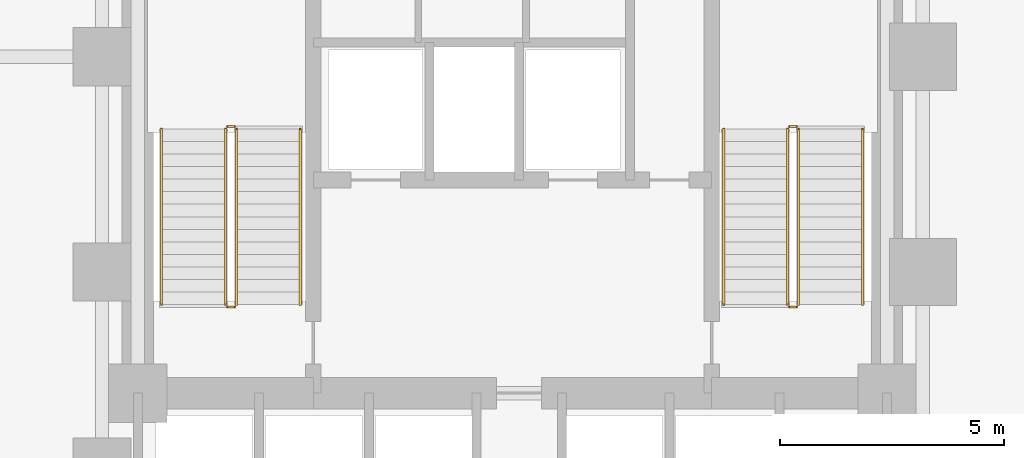
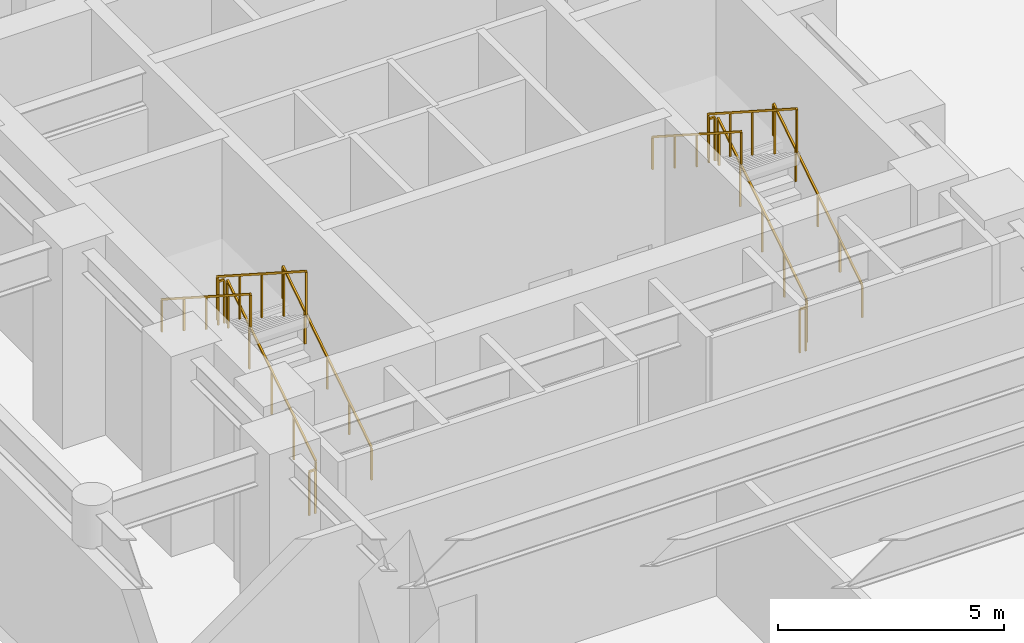
# One storey, part 9 of 10: 12 railings.
"""IFC4 building model written with IfcOpenShell, lengths in metres."""

from ifc_helpers import new_model, si_unit, direction, frame, origin, origin_2d, place, context, subcontext, project, spatial, rectangle, extrude, material, type_object, element, save


model = new_model("IFC4")

# Units and contexts
model_context = context("Model", 3, precision=1e-05, world=origin(), true_north=direction((0.0, 1.0)))
body_context = subcontext(model_context, "Body", "Model", "MODEL_VIEW")
ifc_project = project(units=[si_unit("LENGTHUNIT", "METRE"), si_unit("AREAUNIT", "SQUARE_METRE"), si_unit("VOLUMEUNIT", "CUBIC_METRE"), si_unit("PLANEANGLEUNIT", "RADIAN"), si_unit("MASSUNIT", "GRAM", prefix="KILO")], contexts=[model_context])

# Site, building, storey
site_placement = place(None, origin())
site = spatial("IfcSite", under=ifc_project, at=site_placement, CompositionType="ELEMENT")
building_placement = place(site_placement, origin())
building = spatial("IfcBuilding", under=site, at=building_placement, Name="Orvandelia Arch Residences", CompositionType="ELEMENT")
storey_placement = place(building_placement, frame((0.0, 0.0, 19.60009765625)))
storey = spatial("IfcBuildingStorey", under=building, at=storey_placement, Name="L04", CompositionType="ELEMENT", Elevation=19.60009765625)

# Railings
ifc_material = material(Name="Brushed Stainless Steel 304", Category="steel")
railing_type_1 = type_object("IfcRailingType", Name="RL-STAIR-GD1120", PredefinedType="GUARDRAIL", material=ifc_material)
railing_1_placement = place(storey_placement, frame((8.25, 32.8701171875, 0.179931640625)))
element("IfcRailing", 1, at=railing_1_placement, inside=storey, type_object=railing_type_1, Name="L04 ST-1 stair guard 1", PredefinedType="GUARDRAIL", context=body_context, shape_type="SweptSolid", body=[
    extrude(rectangle(XDim=0.048095703125, YDim=0.048095703125, at=origin_2d()), frame((0.0, 0.0, 1.17578125), z_axis=(0.0, 0.841171666519, 0.540768182723), x_axis=(-1.0, 0.0, 0.0)), (0.0, 0.0, 1.0), 4.66015625),
    extrude(rectangle(XDim=0.0419921875, YDim=0.0419921875, at=origin_2d()), origin(), (0.0, 0.0, 1.0), 1.15185546875),
    extrude(rectangle(XDim=0.0419921875, YDim=0.0419921875, at=origin_2d()), frame((0.0, 0.97998046875, 0.6298828125)), (0.0, 0.0, 1.0), 1.15185546875),
    extrude(rectangle(XDim=0.0419921875, YDim=0.0419921875, at=origin_2d()), frame((0.0, 1.9599609375, 1.260009765625)), (0.0, 0.0, 1.0), 1.15185546875),
    extrude(rectangle(XDim=0.0419921875, YDim=0.0419921875, at=origin_2d()), frame((0.0, 2.93994140625, 1.89013671875)), (0.0, 0.0, 1.0), 1.15185546875),
    extrude(rectangle(XDim=0.0419921875, YDim=0.0419921875, at=origin_2d()), frame((0.0, 3.919921875, 2.52001953125)), (0.0, 0.0, 1.0), 1.15185546875),
])
railing_2_placement = place(storey_placement, frame((8.199951171875, 36.840087890625, 2.699951171875)))
element("IfcRailing", 2, at=railing_2_placement, inside=storey, type_object=railing_type_1, Name="L04 ST-1 stair guard 2", PredefinedType="GUARDRAIL", context=body_context, shape_type="SweptSolid", body=[
    extrude(rectangle(XDim=0.048095703125, YDim=0.048095703125, at=origin_2d()), frame((0.0, 0.0, 1.17578125), z_axis=(-1.0, 0.0, 0.0), x_axis=(0.0, -1.0, 0.0)), (0.0, 0.0, 1.0), 0.14990234375),
    extrude(rectangle(XDim=0.0419921875, YDim=0.0419921875, at=origin_2d()), origin(), (0.0, 0.0, 1.0), 1.15185546875),
    extrude(rectangle(XDim=0.0419921875, YDim=0.0419921875, at=origin_2d()), frame((-0.14990234375, 0.0, 0.0)), (0.0, 0.0, 1.0), 1.15185546875),
])
railing_3_placement = place(storey_placement, frame((8.0, 36.7900390625, 2.8798828125)))
element("IfcRailing", 3, at=railing_3_placement, inside=storey, type_object=railing_type_1, Name="L04 ST-1 stair guard 3", PredefinedType="GUARDRAIL", context=body_context, shape_type="SweptSolid", body=[
    extrude(rectangle(XDim=0.048095703125, YDim=0.048095703125, at=origin_2d()), frame((0.0, 0.0, 1.17578125), z_axis=(0.0, -0.841171666519, 0.540768182723), x_axis=(1.0, 0.0, 0.0)), (0.0, 0.0, 1.0), 4.66015625),
    extrude(rectangle(XDim=0.0419921875, YDim=0.0419921875, at=origin_2d()), origin(), (0.0, 0.0, 1.0), 1.15185546875),
    extrude(rectangle(XDim=0.0419921875, YDim=0.0419921875, at=origin_2d()), frame((0.0, -0.97998046875, 0.6298828125)), (0.0, 0.0, 1.0), 1.15185546875),
    extrude(rectangle(XDim=0.0419921875, YDim=0.0419921875, at=origin_2d()), frame((0.0, -1.9599609375, 1.260009765625)), (0.0, 0.0, 1.0), 1.15185546875),
    extrude(rectangle(XDim=0.0419921875, YDim=0.0419921875, at=origin_2d()), frame((0.0, -2.93994140625, 1.89013671875)), (0.0, 0.0, 1.0), 1.15185546875),
    extrude(rectangle(XDim=0.0419921875, YDim=0.0419921875, at=origin_2d()), frame((0.0, -3.919921875, 2.52001953125)), (0.0, 0.0, 1.0), 1.15185546875),
])
railing_4_placement = place(storey_placement, frame((8.199951171875, 32.820068359375, 0.0)))
element("IfcRailing", 4, at=railing_4_placement, inside=storey, type_object=railing_type_1, Name="L04 ST-1 stair guard 4", PredefinedType="GUARDRAIL", context=body_context, shape_type="SweptSolid", body=[
    extrude(rectangle(XDim=0.048095703125, YDim=0.048095703125, at=origin_2d()), frame((0.0, 0.0, 1.17578125), z_axis=(-1.0, 0.0, 0.0), x_axis=(0.0, -1.0, 0.0)), (0.0, 0.0, 1.0), 0.14990234375),
    extrude(rectangle(XDim=0.0419921875, YDim=0.0419921875, at=origin_2d()), origin(), (0.0, 0.0, 1.0), 1.15185546875),
    extrude(rectangle(XDim=0.0419921875, YDim=0.0419921875, at=origin_2d()), frame((-0.14990234375, 0.0, 0.0)), (0.0, 0.0, 1.0), 1.15185546875),
])
railing_5_placement = place(storey_placement, frame((20.780029296875, 32.8701171875, 0.179931640625)))
element("IfcRailing", 5, at=railing_5_placement, inside=storey, type_object=railing_type_1, Name="L04 ST-2 stair guard 1", PredefinedType="GUARDRAIL", context=body_context, shape_type="SweptSolid", body=[
    extrude(rectangle(XDim=0.048095703125, YDim=0.048095703125, at=origin_2d()), frame((0.0, 0.0, 1.17578125), z_axis=(0.0, 0.841171666519, 0.540768182723), x_axis=(-1.0, 0.0, 0.0)), (0.0, 0.0, 1.0), 4.66015625),
    extrude(rectangle(XDim=0.0419921875, YDim=0.0419921875, at=origin_2d()), origin(), (0.0, 0.0, 1.0), 1.15185546875),
    extrude(rectangle(XDim=0.0419921875, YDim=0.0419921875, at=origin_2d()), frame((0.0, 0.97998046875, 0.6298828125)), (0.0, 0.0, 1.0), 1.15185546875),
    extrude(rectangle(XDim=0.0419921875, YDim=0.0419921875, at=origin_2d()), frame((0.0, 1.9599609375, 1.260009765625)), (0.0, 0.0, 1.0), 1.15185546875),
    extrude(rectangle(XDim=0.0419921875, YDim=0.0419921875, at=origin_2d()), frame((0.0, 2.93994140625, 1.89013671875)), (0.0, 0.0, 1.0), 1.15185546875),
    extrude(rectangle(XDim=0.0419921875, YDim=0.0419921875, at=origin_2d()), frame((0.0, 3.919921875, 2.52001953125)), (0.0, 0.0, 1.0), 1.15185546875),
])
railing_6_placement = place(storey_placement, frame((20.72998046875, 36.840087890625, 2.699951171875)))
element("IfcRailing", 6, at=railing_6_placement, inside=storey, type_object=railing_type_1, Name="L04 ST-2 stair guard 2", PredefinedType="GUARDRAIL", context=body_context, shape_type="SweptSolid", body=[
    extrude(rectangle(XDim=0.048095703125, YDim=0.048095703125, at=origin_2d()), frame((0.0, 0.0, 1.17578125), z_axis=(-1.0, 0.0, 0.0), x_axis=(0.0, -1.0, 0.0)), (0.0, 0.0, 1.0), 0.14990234375),
    extrude(rectangle(XDim=0.0419921875, YDim=0.0419921875, at=origin_2d()), origin(), (0.0, 0.0, 1.0), 1.15185546875),
    extrude(rectangle(XDim=0.0419921875, YDim=0.0419921875, at=origin_2d()), frame((-0.14990234375, 0.0, 0.0)), (0.0, 0.0, 1.0), 1.15185546875),
])
railing_7_placement = place(storey_placement, frame((20.530029296875, 36.7900390625, 2.8798828125)))
element("IfcRailing", 7, at=railing_7_placement, inside=storey, type_object=railing_type_1, Name="L04 ST-2 stair guard 3", PredefinedType="GUARDRAIL", context=body_context, shape_type="SweptSolid", body=[
    extrude(rectangle(XDim=0.048095703125, YDim=0.048095703125, at=origin_2d()), frame((0.0, 0.0, 1.17578125), z_axis=(0.0, -0.841171666519, 0.540768182723), x_axis=(1.0, 0.0, 0.0)), (0.0, 0.0, 1.0), 4.66015625),
    extrude(rectangle(XDim=0.0419921875, YDim=0.0419921875, at=origin_2d()), origin(), (0.0, 0.0, 1.0), 1.15185546875),
    extrude(rectangle(XDim=0.0419921875, YDim=0.0419921875, at=origin_2d()), frame((0.0, -0.97998046875, 0.6298828125)), (0.0, 0.0, 1.0), 1.15185546875),
    extrude(rectangle(XDim=0.0419921875, YDim=0.0419921875, at=origin_2d()), frame((0.0, -1.9599609375, 1.260009765625)), (0.0, 0.0, 1.0), 1.15185546875),
    extrude(rectangle(XDim=0.0419921875, YDim=0.0419921875, at=origin_2d()), frame((0.0, -2.93994140625, 1.89013671875)), (0.0, 0.0, 1.0), 1.15185546875),
    extrude(rectangle(XDim=0.0419921875, YDim=0.0419921875, at=origin_2d()), frame((0.0, -3.919921875, 2.52001953125)), (0.0, 0.0, 1.0), 1.15185546875),
])
railing_8_placement = place(storey_placement, frame((20.72998046875, 32.820068359375, 0.0)))
element("IfcRailing", 8, at=railing_8_placement, inside=storey, type_object=railing_type_1, Name="L04 ST-2 stair guard 4", PredefinedType="GUARDRAIL", context=body_context, shape_type="SweptSolid", body=[
    extrude(rectangle(XDim=0.048095703125, YDim=0.048095703125, at=origin_2d()), frame((0.0, 0.0, 1.17578125), z_axis=(-1.0, 0.0, 0.0), x_axis=(0.0, -1.0, 0.0)), (0.0, 0.0, 1.0), 0.14990234375),
    extrude(rectangle(XDim=0.0419921875, YDim=0.0419921875, at=origin_2d()), origin(), (0.0, 0.0, 1.0), 1.15185546875),
    extrude(rectangle(XDim=0.0419921875, YDim=0.0419921875, at=origin_2d()), frame((-0.14990234375, 0.0, 0.0)), (0.0, 0.0, 1.0), 1.15185546875),
])
railing_type_2 = type_object("IfcRailingType", Name="RL-STAIR-HR920", PredefinedType="HANDRAIL", material=ifc_material)
railing_9_placement = place(storey_placement, frame((9.669921875, 32.8701171875, 0.35986328125)))
element("IfcRailing", 9, at=railing_9_placement, inside=storey, type_object=railing_type_2, Name="L04 ST-1 stair handrail 1", PredefinedType="HANDRAIL", context=body_context, shape_type="SweptSolid", body=[
    extrude(rectangle(XDim=0.048095703125, YDim=0.048095703125, at=origin_2d()), frame((0.0, 0.0, 0.8759765625), z_axis=(0.0, 0.841171666519, 0.540768182723), x_axis=(-1.0, 0.0, 0.0)), (0.0, 0.0, 1.0), 4.66015625),
    extrude(rectangle(XDim=0.0419921875, YDim=0.0419921875, at=origin_2d()), origin(), (0.0, 0.0, 1.0), 0.851806640625),
    extrude(rectangle(XDim=0.0419921875, YDim=0.0419921875, at=origin_2d()), frame((0.0, 0.97998046875, 0.6298828125)), (0.0, 0.0, 1.0), 0.851806640625),
    extrude(rectangle(XDim=0.0419921875, YDim=0.0419921875, at=origin_2d()), frame((0.0, 1.9599609375, 1.260009765625)), (0.0, 0.0, 1.0), 0.851806640625),
    extrude(rectangle(XDim=0.0419921875, YDim=0.0419921875, at=origin_2d()), frame((0.0, 2.93994140625, 1.89013671875)), (0.0, 0.0, 1.0), 0.851806640625),
    extrude(rectangle(XDim=0.0419921875, YDim=0.0419921875, at=origin_2d()), frame((0.0, 3.919921875, 2.52001953125)), (0.0, 0.0, 1.0), 0.851806640625),
])
railing_10_placement = place(storey_placement, frame((6.580078125, 36.7900390625, 3.059814453125)))
element("IfcRailing", 10, at=railing_10_placement, inside=storey, type_object=railing_type_2, Name="L04 ST-1 stair handrail 2", PredefinedType="HANDRAIL", context=body_context, shape_type="SweptSolid", body=[
    extrude(rectangle(XDim=0.048095703125, YDim=0.048095703125, at=origin_2d()), frame((0.0, 0.0, 0.8759765625), z_axis=(0.0, -0.841171666519, 0.540768182723), x_axis=(1.0, 0.0, 0.0)), (0.0, 0.0, 1.0), 4.66015625),
    extrude(rectangle(XDim=0.0419921875, YDim=0.0419921875, at=origin_2d()), origin(), (0.0, 0.0, 1.0), 0.851806640625),
    extrude(rectangle(XDim=0.0419921875, YDim=0.0419921875, at=origin_2d()), frame((0.0, -0.97998046875, 0.6298828125)), (0.0, 0.0, 1.0), 0.851806640625),
    extrude(rectangle(XDim=0.0419921875, YDim=0.0419921875, at=origin_2d()), frame((0.0, -1.9599609375, 1.260009765625)), (0.0, 0.0, 1.0), 0.851806640625),
    extrude(rectangle(XDim=0.0419921875, YDim=0.0419921875, at=origin_2d()), frame((0.0, -2.93994140625, 1.89013671875)), (0.0, 0.0, 1.0), 0.851806640625),
    extrude(rectangle(XDim=0.0419921875, YDim=0.0419921875, at=origin_2d()), frame((0.0, -3.919921875, 2.52001953125)), (0.0, 0.0, 1.0), 0.851806640625),
])
railing_11_placement = place(storey_placement, frame((22.199951171875, 32.8701171875, 0.35986328125)))
element("IfcRailing", 11, at=railing_11_placement, inside=storey, type_object=railing_type_2, Name="L04 ST-2 stair handrail 1", PredefinedType="HANDRAIL", context=body_context, shape_type="SweptSolid", body=[
    extrude(rectangle(XDim=0.048095703125, YDim=0.048095703125, at=origin_2d()), frame((0.0, 0.0, 0.8759765625), z_axis=(0.0, 0.841171666519, 0.540768182723), x_axis=(-1.0, 0.0, 0.0)), (0.0, 0.0, 1.0), 4.66015625),
    extrude(rectangle(XDim=0.0419921875, YDim=0.0419921875, at=origin_2d()), origin(), (0.0, 0.0, 1.0), 0.851806640625),
    extrude(rectangle(XDim=0.0419921875, YDim=0.0419921875, at=origin_2d()), frame((0.0, 0.97998046875, 0.6298828125)), (0.0, 0.0, 1.0), 0.851806640625),
    extrude(rectangle(XDim=0.0419921875, YDim=0.0419921875, at=origin_2d()), frame((0.0, 1.9599609375, 1.260009765625)), (0.0, 0.0, 1.0), 0.851806640625),
    extrude(rectangle(XDim=0.0419921875, YDim=0.0419921875, at=origin_2d()), frame((0.0, 2.93994140625, 1.89013671875)), (0.0, 0.0, 1.0), 0.851806640625),
    extrude(rectangle(XDim=0.0419921875, YDim=0.0419921875, at=origin_2d()), frame((0.0, 3.919921875, 2.52001953125)), (0.0, 0.0, 1.0), 0.851806640625),
])
railing_12_placement = place(storey_placement, frame((19.110107421875, 36.7900390625, 3.059814453125)))
element("IfcRailing", 12, at=railing_12_placement, inside=storey, type_object=railing_type_2, Name="L04 ST-2 stair handrail 2", PredefinedType="HANDRAIL", context=body_context, shape_type="SweptSolid", body=[
    extrude(rectangle(XDim=0.048095703125, YDim=0.048095703125, at=origin_2d()), frame((0.0, 0.0, 0.8759765625), z_axis=(0.0, -0.841171666519, 0.540768182723), x_axis=(1.0, 0.0, 0.0)), (0.0, 0.0, 1.0), 4.66015625),
    extrude(rectangle(XDim=0.0419921875, YDim=0.0419921875, at=origin_2d()), origin(), (0.0, 0.0, 1.0), 0.851806640625),
    extrude(rectangle(XDim=0.0419921875, YDim=0.0419921875, at=origin_2d()), frame((0.0, -0.97998046875, 0.6298828125)), (0.0, 0.0, 1.0), 0.851806640625),
    extrude(rectangle(XDim=0.0419921875, YDim=0.0419921875, at=origin_2d()), frame((0.0, -1.9599609375, 1.260009765625)), (0.0, 0.0, 1.0), 0.851806640625),
    extrude(rectangle(XDim=0.0419921875, YDim=0.0419921875, at=origin_2d()), frame((0.0, -2.93994140625, 1.89013671875)), (0.0, 0.0, 1.0), 0.851806640625),
    extrude(rectangle(XDim=0.0419921875, YDim=0.0419921875, at=origin_2d()), frame((0.0, -3.919921875, 2.52001953125)), (0.0, 0.0, 1.0), 0.851806640625),
])

save(model, "model.ifc")
